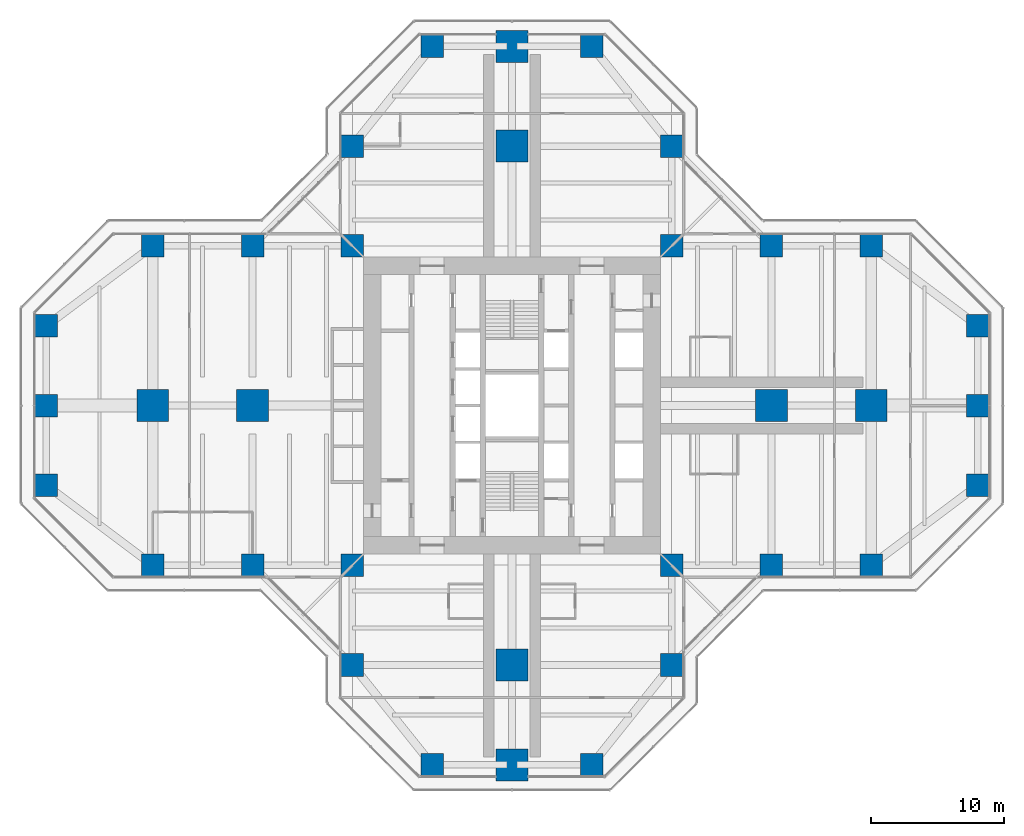
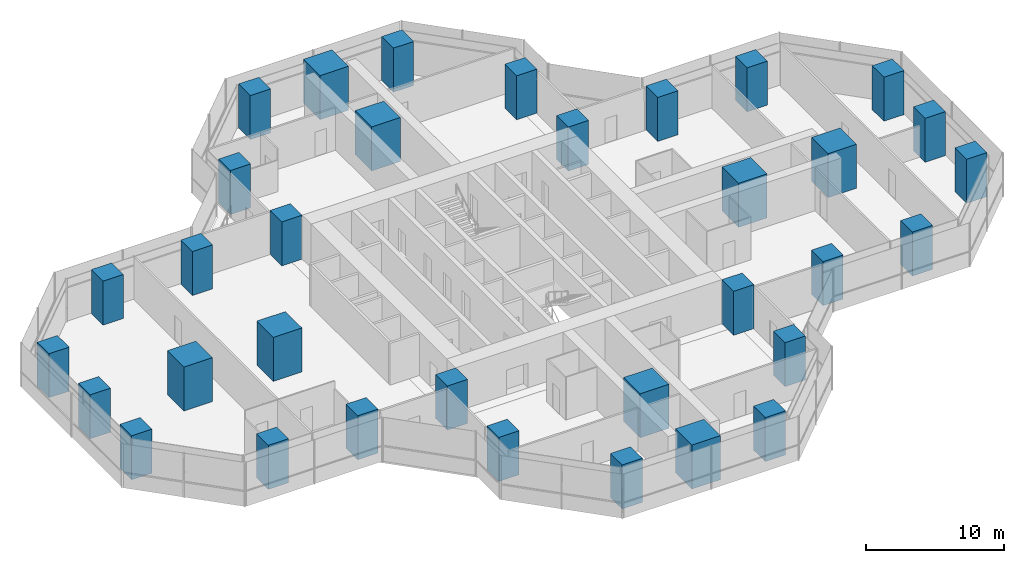
# One storey, part 1 of 20: 34 columns.
"""IFC4 building model written with IfcOpenShell, lengths in metres."""

from ifc_helpers import new_model, si_unit, direction, frame, origin, origin_2d, place, context, subcontext, project, spatial, rectangle, extrude, material, material_profile, profile_set, type_object, element, save


model = new_model("IFC4")

# Units and contexts
model_context = context("Model", 3, precision=1e-05, world=origin(), true_north=direction((0.0, 1.0)))
body_context = subcontext(model_context, "Body", "Model", "MODEL_VIEW")
ifc_project = project(units=[si_unit("LENGTHUNIT", "METRE"), si_unit("AREAUNIT", "SQUARE_METRE"), si_unit("VOLUMEUNIT", "CUBIC_METRE"), si_unit("PLANEANGLEUNIT", "RADIAN"), si_unit("MASSUNIT", "GRAM", prefix="KILO")], contexts=[model_context])

# Site, building, storey
site_placement = place(None, origin())
site = spatial("IfcSite", under=ifc_project, at=site_placement, CompositionType="ELEMENT")
building_placement = place(site_placement, origin())
building = spatial("IfcBuilding", under=site, at=building_placement, Name="Mizan Broadcast Tower", CompositionType="ELEMENT")
storey_placement = place(building_placement, frame((0.0, 0.0, 190.5)))
storey = spatial("IfcBuildingStorey", under=building, at=storey_placement, Name="L44", CompositionType="ELEMENT", Elevation=190.5)

# Columns
ifc_material_1 = material(Name="Concrete C70/85", Category="concrete")
ifc_material_profile_1 = material_profile(ifc_material_1, rectangle(XDim=1.699951171875, YDim=1.699951171875, at=origin_2d()), Name="RC 1700x1700")
ifc_profile_set_1 = profile_set([ifc_material_profile_1], Name="Concrete C70/85")
column_type_1 = type_object("IfcColumnType", Name="RC COLUMN 1700x1700 C70/85", PredefinedType="COLUMN", material=ifc_profile_set_1)
for number, where, z_axis, x_axis, name in (
    (1, (-6.0, -27.0, 0.0), (0.0, 0.0, 1.0), (1.0, 0.0, 0.0), "Column 5/B L44"),
    (2, (6.0, -27.0, 0.0), (0.0, 0.0, 1.0), (1.0, 0.0, 0.0), "Column 7/B L44"),
    (3, (-12.0, -19.5, 0.0), (0.0, 0.0, 1.0), (1.0, 0.0, 0.0), "Column 4/C L44"),
    (4, (12.0, -19.5, 0.0), (0.0, 0.0, 1.0), (1.0, 0.0, 0.0), "Column 8/C L44"),
    (5, (-27.0, -12.0, 0.0), (0.0, 0.0, 1.0), (1.0, 0.0, 0.0), "Column 2/D L44"),
    (6, (-19.5, -12.0, 0.0), (0.0, 0.0, 1.0), (1.0, 0.0, 0.0), "Column 3/D L44"),
    (7, (-12.0, -12.0, 0.0), (0.0, 0.0, 1.0), (1.0, 0.0, 0.0), "Column 4/D L44"),
    (8, (12.0, -12.0, 0.0), (0.0, 0.0, 1.0), (1.0, 0.0, 0.0), "Column 8/D L44"),
    (9, (19.5, -12.0, 0.0), (0.0, 0.0, 1.0), (1.0, 0.0, 0.0), "Column 9/D L44"),
    (10, (27.0, -12.0, 0.0), (0.0, 0.0, 1.0), (1.0, 0.0, 0.0), "Column 10/D L44"),
    (11, (-35.0, -6.0, 0.0), (0.0, 0.0, 1.0), (1.0, 0.0, 0.0), "Column 1/E L44"),
    (12, (35.0, -6.0, 0.0), (0.0, 0.0, 1.0), (1.0, 0.0, 0.0), "Column 11/E L44"),
    (13, (-35.0, 0.0, 0.0), (0.0, 0.0, 1.0), (1.0, 0.0, 0.0), "Column 1/F L44"),
    (14, (35.0, 0.0, 0.0), (0.0, 0.0, 1.0), (1.0, 0.0, 0.0), "Column 11/F L44"),
    (15, (-35.0, 6.0, 0.0), (0.0, 0.0, 1.0), (1.0, 0.0, 0.0), "Column 1/G L44"),
    (16, (35.0, 6.0, 0.0), (0.0, 0.0, 1.0), (1.0, 0.0, 0.0), "Column 11/G L44"),
    (17, (-27.0, 12.0, 0.0), (0.0, 0.0, 1.0), (1.0, 0.0, 0.0), "Column 2/H L44"),
    (18, (-19.5, 12.0, 0.0), (0.0, 0.0, 1.0), (1.0, 0.0, 0.0), "Column 3/H L44"),
    (19, (-12.0, 12.0, 0.0), (0.0, 0.0, 1.0), (1.0, 0.0, 0.0), "Column 4/H L44"),
    (20, (12.0, 12.0, 0.0), (0.0, 0.0, 1.0), (1.0, 0.0, 0.0), "Column 8/H L44"),
    (21, (19.5, 12.0, 0.0), (0.0, 0.0, 1.0), (1.0, 0.0, 0.0), "Column 9/H L44"),
    (22, (27.0, 12.0, 0.0), (0.0, 0.0, 1.0), (1.0, 0.0, 0.0), "Column 10/H L44"),
    (23, (-12.0, 19.5, 0.0), (0.0, 0.0, 1.0), (1.0, 0.0, 0.0), "Column 4/J L44"),
    (24, (12.0, 19.5, 0.0), (0.0, 0.0, 1.0), (1.0, 0.0, 0.0), "Column 8/J L44"),
    (25, (-6.0, 27.0, 0.0), (0.0, 0.0, 1.0), (1.0, 0.0, 0.0), "Column 5/K L44"),
    (26, (6.0, 27.0, 0.0), (0.0, 0.0, 1.0), (1.0, 0.0, 0.0), "Column 7/K L44"),
):
    element("IfcColumn", number, at=place(storey_placement, frame(where, z_axis=z_axis, x_axis=x_axis)), inside=storey, type_object=column_type_1, Name=name, PredefinedType="COLUMN", context=body_context, shape_type="SweptSolid", body=[
        extrude(rectangle(XDim=1.699951171875, YDim=1.699951171875, at=origin_2d()), origin(), (0.0, 0.0, 1.0), 3.89990234375),
    ])
ifc_material_2 = material(Name="Concrete C70/85", Category="concrete")
ifc_material_profile_2 = material_profile(ifc_material_2, rectangle(XDim=2.39990234375, YDim=2.39990234375, at=origin_2d()), Name="RC 2400x2400")
ifc_profile_set_2 = profile_set([ifc_material_profile_2], Name="Concrete C70/85")
column_type_2 = type_object("IfcColumnType", Name="RC COLUMN 2400x2400 C70/85", PredefinedType="COLUMN", material=ifc_profile_set_2)
for number, where, z_axis, x_axis, name in (
    (27, (0.0, -27.0, 0.0), (0.0, 0.0, 1.0), (1.0, 0.0, 0.0), "Column 6/B L44"),
    (28, (0.0, -19.5, 0.0), (0.0, 0.0, 1.0), (1.0, 0.0, 0.0), "Column 6/C L44"),
    (29, (-27.0, 0.0, 0.0), (0.0, 0.0, 1.0), (1.0, 0.0, 0.0), "Column 2/F L44"),
    (30, (-19.5, 0.0, 0.0), (0.0, 0.0, 1.0), (1.0, 0.0, 0.0), "Column 3/F L44"),
    (31, (19.5, 0.0, 0.0), (0.0, 0.0, 1.0), (1.0, 0.0, 0.0), "Column 9/F L44"),
    (32, (27.0, 0.0, 0.0), (0.0, 0.0, 1.0), (1.0, 0.0, 0.0), "Column 10/F L44"),
    (33, (0.0, 19.5, 0.0), (0.0, 0.0, 1.0), (1.0, 0.0, 0.0), "Column 6/J L44"),
    (34, (0.0, 27.0, 0.0), (0.0, 0.0, 1.0), (1.0, 0.0, 0.0), "Column 6/K L44"),
):
    element("IfcColumn", number, at=place(storey_placement, frame(where, z_axis=z_axis, x_axis=x_axis)), inside=storey, type_object=column_type_2, Name=name, PredefinedType="COLUMN", context=body_context, shape_type="SweptSolid", body=[
        extrude(rectangle(XDim=2.39990234375, YDim=2.39990234375, at=origin_2d()), origin(), (0.0, 0.0, 1.0), 3.89990234375),
    ])

save(model, "model.ifc")
